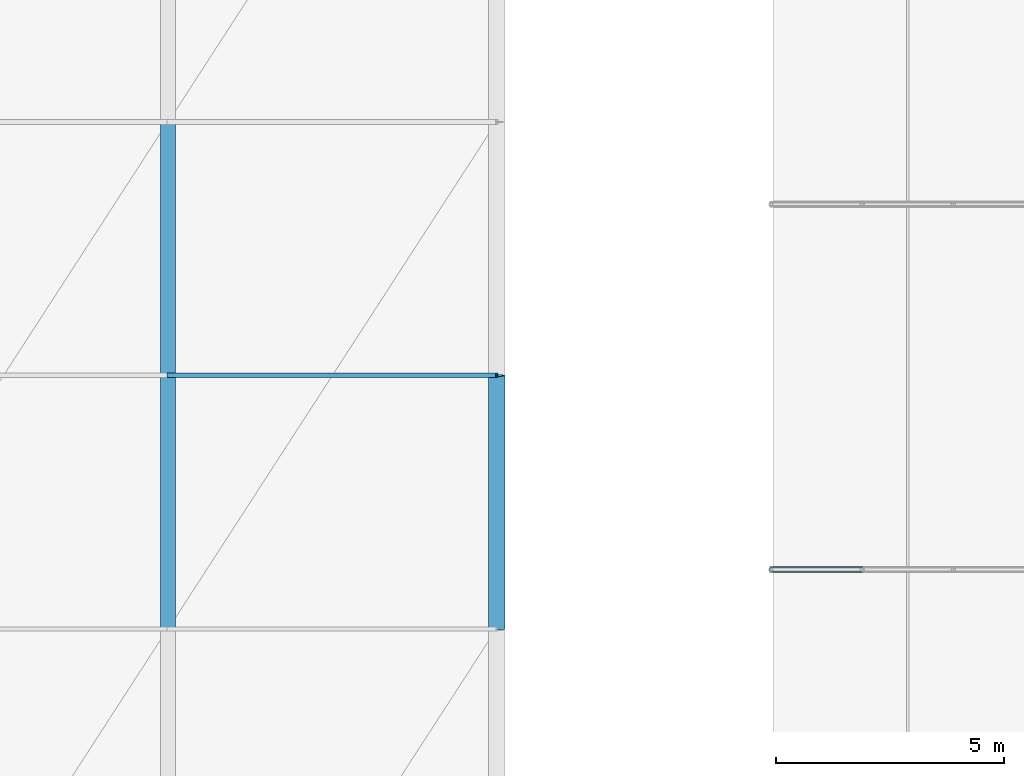
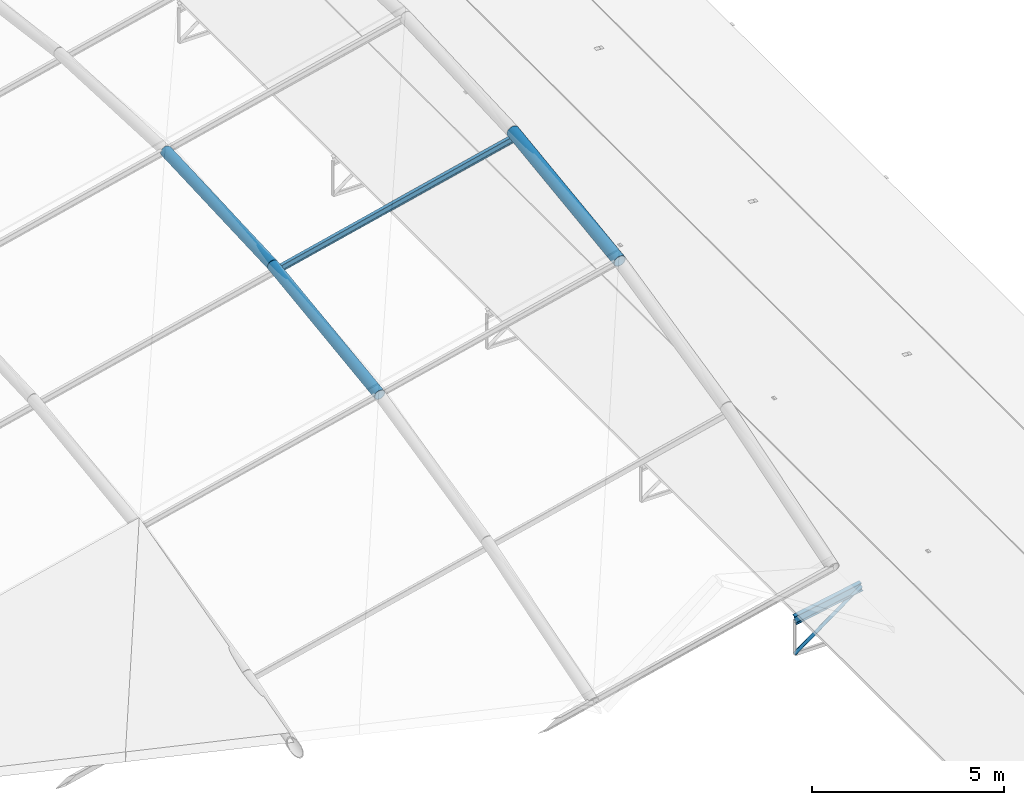
# One storey, part 9 of 54: 6 members.
"""IFC4 building model written with IfcOpenShell, lengths in metres."""

from ifc_helpers import new_model, si_unit, derived_unit, direction, frame, origin, origin_2d, place, context, subcontext, project, spatial, hollow_circle, i_section, extrude, material, material_profile, profile_set, type_object, element, save


model = new_model("IFC4")

# Units and contexts
model_context = context("Model", 3, precision=1e-05, world=origin(), true_north=direction((0.0, 1.0)))
body_context = subcontext(model_context, "Body", "Model", "MODEL_VIEW")
ifc_project = project(units=[si_unit("LENGTHUNIT", "METRE"), si_unit("AREAUNIT", "SQUARE_METRE"), si_unit("VOLUMEUNIT", "CUBIC_METRE"), si_unit("PLANEANGLEUNIT", "RADIAN"), si_unit("MASSUNIT", "GRAM", prefix="KILO"), derived_unit("THERMALTRANSMITTANCEUNIT", [(si_unit("POWERUNIT", "WATT"), 1), (si_unit("LENGTHUNIT", "METRE"), -2), (si_unit("THERMODYNAMICTEMPERATUREUNIT", "KELVIN"), -1)])], contexts=[model_context])

# Site, building, storey
site_placement = place(None, origin())
site = spatial("IfcSite", under=ifc_project, at=site_placement, CompositionType="ELEMENT")
building_placement = place(site_placement, origin())
building = spatial("IfcBuilding", under=site, at=building_placement, Name="Keldorne Ridge Multi-Sports Centre", CompositionType="ELEMENT")
storey_placement = place(building_placement, frame((0.0, 0.0, 22.199951171875)))
storey = spatial("IfcBuildingStorey", under=building, at=storey_placement, Name="ROOF", CompositionType="ELEMENT", Elevation=22.199951171875)

# Members
ifc_material = material(Name="Steel S355", Category="steel")
ifc_material_profile_1 = material_profile(ifc_material, i_section(OverallWidth=0.10009765625, OverallDepth=0.199951171875, WebThickness=0.005615234375, FlangeThickness=0.008544921875, FilletRadius=0.011962890625, at=origin_2d()), Name="IPE 200")
ifc_profile_set_1 = profile_set([ifc_material_profile_1], Name="Steel S355")
member_type_1 = type_object("IfcMemberType", Name="MEM-PR-01", PredefinedType="PURLIN", material=ifc_profile_set_1)
member_1_placement = place(storey_placement, frame((70.800048828125, 26.25, 0.420166015625), z_axis=(0.972632545932, 0.0, 0.232348726259), x_axis=(0.0, 1.0, 0.0)))
element("IfcMember", 1, at=member_1_placement, inside=storey, type_object=member_type_1, Name="Main Hall roof purlin 10.4", PredefinedType="PURLIN", context=body_context, shape_type="SweptSolid", body=[
    extrude(i_section(OverallWidth=0.10009765625, OverallDepth=0.199951171875, WebThickness=0.005615234375, FlangeThickness=0.008544921875, FilletRadius=0.011962890625, at=origin_2d()), origin(), (0.0, 0.0, 1.0), 7.402587890625),
])
ifc_material_profile_2 = material_profile(ifc_material, i_section(OverallWidth=0.135009765625, OverallDepth=0.27001953125, WebThickness=0.006591796875, FlangeThickness=0.01025390625, FilletRadius=0.014892578125, at=origin_2d()), Name="IPE 270")
ifc_profile_set_2 = profile_set([ifc_material_profile_2], Name="Steel S355")
member_type_2 = type_object("IfcMemberType", Name="MEM-RF-02", PredefinedType="RAFTER", material=ifc_profile_set_2)
member_2_placement = place(storey_placement, frame((84.0, 22.0, -12.639892578125), z_axis=(0.982435006317, 0.0, 0.186605086649), x_axis=(0.0, 1.0, 0.0)))
element("IfcMember", 2, at=member_2_placement, inside=storey, type_object=member_type_2, Name="Public Passage bowstring arch top chord 03.1", PredefinedType="RAFTER", context=body_context, shape_type="SweptSolid", body=[
    extrude(i_section(OverallWidth=0.135009765625, OverallDepth=0.27001953125, WebThickness=0.006591796875, FlangeThickness=0.01025390625, FilletRadius=0.014892578125, at=origin_2d()), origin(), (0.0, 0.0, 1.0), 2.03564453125),
])
ifc_material_profile_3 = material_profile(ifc_material, hollow_circle(Radius=0.177734375, WallThickness=0.01611328125, at=origin_2d()), Name="CHS 355.6x16")
ifc_profile_set_3 = profile_set([ifc_material_profile_3], Name="Steel S355")
member_type_3 = type_object("IfcMemberType", Name="MEM-TC-01", PredefinedType="CHORD", material=ifc_profile_set_3)
member_3_placement = place(storey_placement, frame((78.0, 20.699951171875, 1.6201171875), z_axis=(0.0, 0.990992586768, 0.13391673895), x_axis=(-1.0, 0.0, 0.0)))
element("IfcMember", 3, at=member_3_placement, inside=storey, type_object=member_type_3, Name="Main Hall ROOF TRUSS AT-11 top chord 3", PredefinedType="CHORD", context=body_context, shape_type="SweptSolid", body=[
    extrude(hollow_circle(Radius=0.177734375, WallThickness=0.01611328125, at=origin_2d()), origin(), (0.0, 0.0, 1.0), 5.6005859375),
])
ifc_material_profile_4 = material_profile(ifc_material, hollow_circle(Radius=0.161865234375, WallThickness=0.01611328125, at=origin_2d()), Name="CHS 323.9x16")
ifc_profile_set_4 = profile_set([ifc_material_profile_4], Name="Steel S355")
member_type_4 = type_object("IfcMemberType", Name="MEM-TC-02", PredefinedType="CHORD", material=ifc_profile_set_4)
member_4_placement = place(storey_placement, frame((70.800048828125, 20.699951171875, -0.099853515625), z_axis=(0.0, 0.990992586768, 0.13391673895), x_axis=(-1.0, 0.0, 0.0)))
element("IfcMember", 4, at=member_4_placement, inside=storey, type_object=member_type_4, Name="Main Hall ROOF TRUSS AT-10 top chord 3", PredefinedType="CHORD", context=body_context, shape_type="SweptSolid", body=[
    extrude(hollow_circle(Radius=0.161865234375, WallThickness=0.01611328125, at=origin_2d()), origin(), (0.0, 0.0, 1.0), 5.6005859375),
])
member_5_placement = place(storey_placement, frame((70.800048828125, 26.25, 0.650146484375), z_axis=(0.0, 0.99898703105, 0.044999019918), x_axis=(-1.0, 0.0, 0.0)))
element("IfcMember", 5, at=member_5_placement, inside=storey, type_object=member_type_4, Name="Main Hall ROOF TRUSS AT-10 top chord 4", PredefinedType="CHORD", context=body_context, shape_type="SweptSolid", body=[
    extrude(hollow_circle(Radius=0.161865234375, WallThickness=0.01611328125, at=origin_2d()), origin(), (0.0, 0.0, 1.0), 5.5556640625),
])
ifc_material_profile_5 = material_profile(ifc_material, hollow_circle(Radius=0.05078125, WallThickness=0.00634765625, at=origin_2d()), Name="CHS 101.6x6.3")
ifc_profile_set_5 = profile_set([ifc_material_profile_5], Name="Steel S355")
member_type_5 = type_object("IfcMemberType", Name="MEM-TD-05", PredefinedType="BRACE", material=ifc_profile_set_5)
member_6_placement = place(storey_placement, frame((84.0, 22.0, -13.719970703125), z_axis=(0.8076945033, 0.0, 0.589601212125), x_axis=(0.0, 1.0, 0.0)))
element("IfcMember", 6, at=member_6_placement, inside=storey, type_object=member_type_5, Name="Public Passage bowstring web diagonal 03.1", PredefinedType="BRACE", context=body_context, shape_type="SweptSolid", body=[
    extrude(hollow_circle(Radius=0.05078125, WallThickness=0.00634765625, at=origin_2d()), origin(), (0.0, 0.0, 1.0), 2.47607421875),
])

save(model, "model.ifc")
